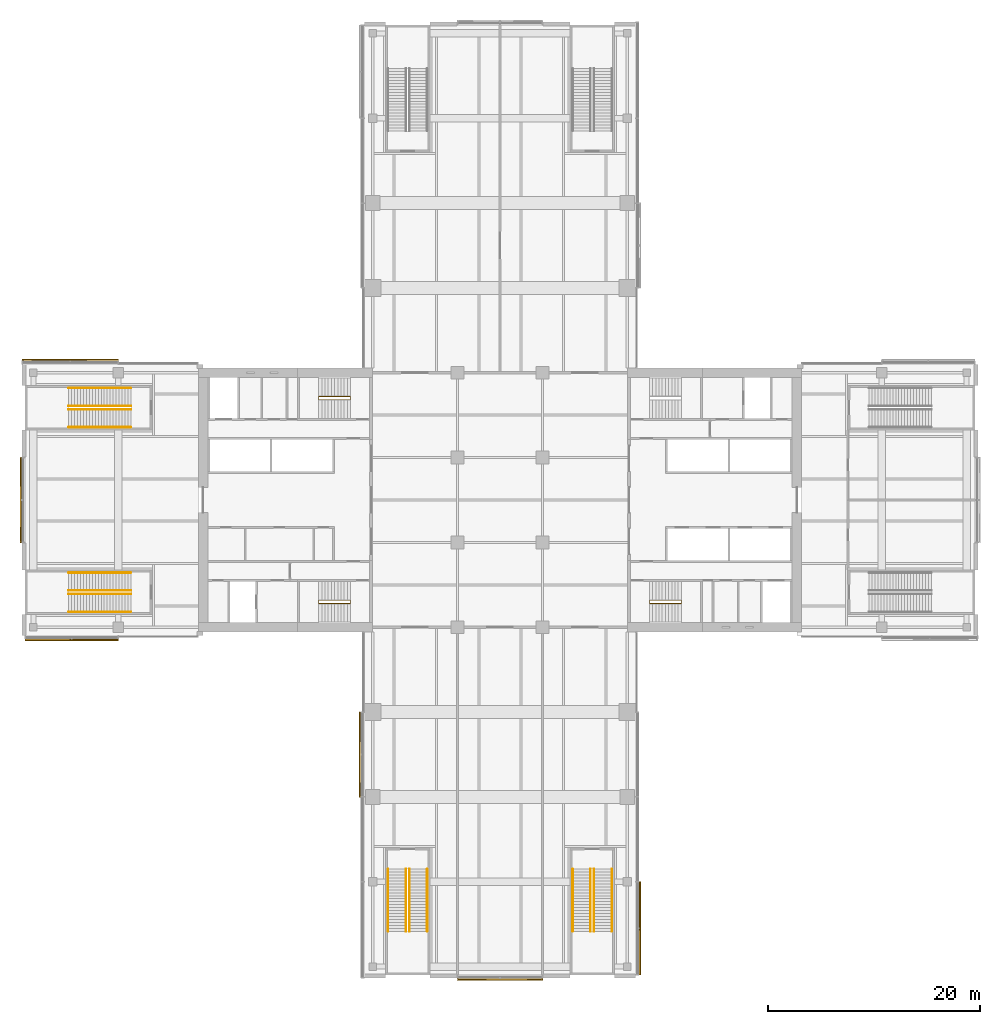
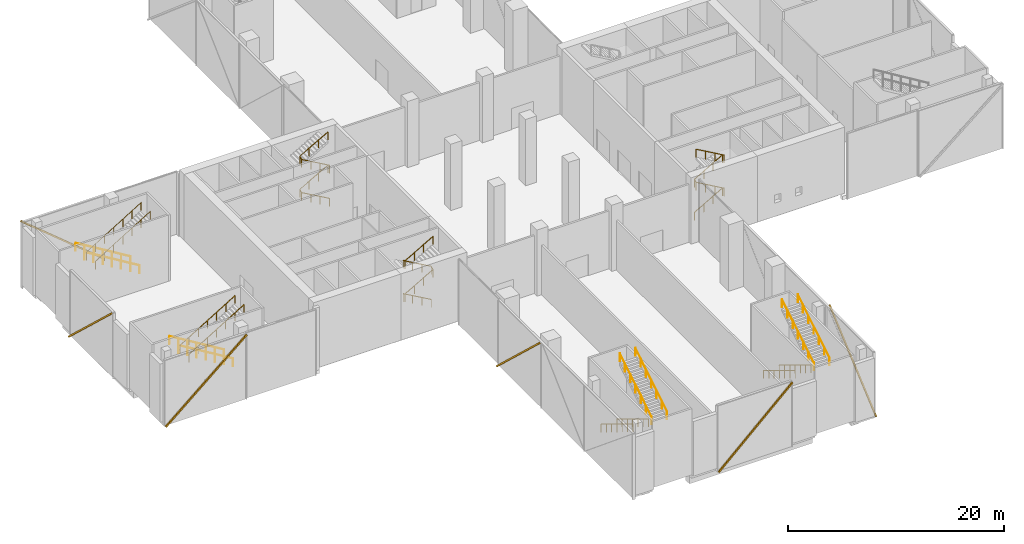
# One storey, part 24 of 25: 19 railings, 6 shading devices, 6 elements without a shape of their own.
"""IFC4 building model written with IfcOpenShell, lengths in metres."""

import ifcopenshell
import ifcopenshell.guid

model = None  # the IFC model being written
_history = None  # IfcOwnerHistory: only IFC2X3 demands one
_inside = {}  # id of a spatial element -> (the spatial element, [elements in it])
_under = {}  # id of a project, library or spatial element -> (it, [spatial elements below it])
_declared = {}  # id of a project -> (the project, [libraries it declares])
_typed = {}  # id of a type object -> (the type object, [elements of that type])
_made_of = {}  # id of a material, layer set ... -> (it, [elements and type objects made of it])


def new_model(schema):
    """Start an empty IFC model of exactly this schema.

    Asked for "IFC4X3", IfcOpenShell would pick the latest addendum, in which some entities
    have other attributes; the version numbers below select the first issue.
    IFC2X3 requires an IfcOwnerHistory on every rooted entity: one is made here for all.
    """
    global model, _history
    if schema == "IFC4X3":
        model = ifcopenshell.file(schema_version=(4, 3, 0, 0))
    else:
        model = ifcopenshell.file(schema=schema)
    _inside.clear()
    _under.clear()
    _declared.clear()
    _typed.clear()
    _made_of.clear()
    _history = None
    if model.schema == "IFC2X3":
        org = make("IfcOrganization", Name="unknown")
        user = make(
            "IfcPersonAndOrganization",
            ThePerson=make("IfcPerson", FamilyName="unknown"),
            TheOrganization=org,
        )
        app = make(
            "IfcApplication",
            ApplicationDeveloper=org,
            Version="unknown",
            ApplicationFullName="unknown",
            ApplicationIdentifier="unknown",
        )
        _history = make(
            "IfcOwnerHistory",
            OwningUser=user,
            OwningApplication=app,
            ChangeAction="ADDED",
            CreationDate=0,
        )
    return model


def make(cls, **values):
    """One entity of the class cls with the attributes given. An attribute that is None is left unset."""
    return model.create_entity(
        cls, **{name: value for name, value in values.items() if value is not None}
    )


def rooted(cls, **values):
    """An entity with a GlobalId (a new one), such as an element, a storey or a relation."""
    return make(cls, GlobalId=ifcopenshell.guid.new(), OwnerHistory=_history, **values)


def si_unit(unit_type, name, prefix=None):
    """IfcSIUnit, for example si_unit("LENGTHUNIT", "METRE", prefix="MILLI")."""
    return make("IfcSIUnit", UnitType=unit_type, Prefix=prefix, Name=name)


def assignment(units):
    """IfcUnitAssignment: the units of a project."""
    return None if units is None else make("IfcUnitAssignment", Units=units)


def point(xyz):
    """IfcCartesianPoint."""
    return None if xyz is None else make("IfcCartesianPoint", Coordinates=xyz)


def direction(xyz):
    """IfcDirection."""
    return None if xyz is None else make("IfcDirection", DirectionRatios=xyz)


def frame(location, z_axis=None, x_axis=None):
    """IfcAxis2Placement3D, a coordinate frame: its origin and axes. An axis left out is left unset."""
    return make(
        "IfcAxis2Placement3D",
        Location=point(location),
        Axis=direction(z_axis),
        RefDirection=direction(x_axis),
    )


def frame_2d(location, x_axis=None):
    """IfcAxis2Placement2D, a coordinate frame in the plane: its origin and x axis."""
    return make(
        "IfcAxis2Placement2D", Location=point(location), RefDirection=direction(x_axis)
    )


def origin():
    """The frame at (0, 0, 0) with its axes left unset."""
    return frame((0.0, 0.0, 0.0))


def origin_2d():
    """The frame at (0, 0) in the plane with its x axis left unset."""
    return frame_2d((0.0, 0.0))


def place(relative_to, where):
    """IfcLocalPlacement: puts the frame where relative to a parent placement (None: the world)."""
    return make(
        "IfcLocalPlacement", PlacementRelTo=relative_to, RelativePlacement=where
    )


def context(
    kind, dimensions, precision=None, world=None, true_north=None, identifier=None
):
    """IfcGeometricRepresentationContext, for example the 3D "Model" context."""
    return make(
        "IfcGeometricRepresentationContext",
        ContextIdentifier=identifier,
        ContextType=kind,
        CoordinateSpaceDimension=dimensions,
        Precision=precision,
        WorldCoordinateSystem=world,
        TrueNorth=true_north,
    )


def subcontext(parent, identifier, kind, view, scale=None):
    """IfcGeometricRepresentationSubContext, for example "Body" below "Model"."""
    return make(
        "IfcGeometricRepresentationSubContext",
        ContextIdentifier=identifier,
        ContextType=kind,
        ParentContext=parent,
        TargetScale=scale,
        TargetView=view,
    )


def project(units=None, contexts=None):
    """IfcProject with its units and contexts."""
    return rooted(
        "IfcProject",
        Name="project",
        RepresentationContexts=contexts,
        UnitsInContext=assignment(units),
    )


def spatial(cls, under=None, at=None, **own):
    """A site, building, storey or space (cls), placed at a placement, below another one or the project."""
    s = rooted(cls, ObjectPlacement=at, **own)
    if under is not None:
        _under.setdefault(under.id(), (under, []))[1].append(s)
    return s


def profile(cls, at=None, kind="AREA", **sizes):
    """A parametric profile (cls). Its sizes go by their IFC names, for example OverallWidth=200.0."""
    return make(cls, ProfileType=kind, Position=at, **sizes)


def rectangle(**sizes):
    """IfcRectangleProfileDef."""
    return profile("IfcRectangleProfileDef", **sizes)


def circle(**sizes):
    """IfcCircleProfileDef."""
    return profile("IfcCircleProfileDef", **sizes)


def extrude(swept, where, along, depth):
    """IfcExtrudedAreaSolid: the profile swept, set in the frame where, extruded along a direction by depth."""
    return make(
        "IfcExtrudedAreaSolid",
        SweptArea=swept,
        Position=where,
        ExtrudedDirection=direction(along),
        Depth=depth,
    )


def shape(context_of_items, identifier, shape_type, items):
    """IfcShapeRepresentation: the items that make up one representation, for example the "Body"."""
    return make(
        "IfcShapeRepresentation",
        ContextOfItems=context_of_items,
        RepresentationIdentifier=identifier,
        RepresentationType=shape_type,
        Items=items,
    )


def material(Name=None, Category=None):
    """IfcMaterial."""
    return make("IfcMaterial", Name=Name, Category=Category)


def material_profile(
    of_material, cross_section, Name=None, Category=None, Priority=None
):
    """IfcMaterialProfile: a cross section and its material."""
    return make(
        "IfcMaterialProfile",
        Name=Name,
        Material=of_material,
        Profile=cross_section,
        Priority=Priority,
        Category=Category,
    )


def profile_set(profiles, Name=None, composite=None):
    """IfcMaterialProfileSet."""
    return make(
        "IfcMaterialProfileSet",
        Name=Name,
        MaterialProfiles=profiles,
        CompositeProfile=composite,
    )


def made_of(thing, what):
    """Note that an element or type object is made of a material, layer set ...; save() writes the relation."""
    if what is not None:
        _made_of.setdefault(what.id(), (what, []))[1].append(thing)
    return thing


def type_object(cls, material=None, **own):
    """A type object (cls), such as IfcWallType, which elements share."""
    return made_of(rooted(cls, **own), material)


def element(
    cls,
    number,
    at=None,
    inside=None,
    cuts=None,
    type_object=None,
    material=None,
    context=None,
    identifier="Body",
    shape_type=None,
    held_by="IfcProductDefinitionShape",
    body=None,
    shapes=None,
    **own,
):
    """One element of the class cls, such as IfcWall. Its Tag is "e" and its number.

    at: its placement. inside: the storey or other place that contains it. cuts: it is an
    opening in that element (IfcRelVoidsElement). A single representation is given by context,
    identifier, shape_type and body (its items); several are given by shapes. held_by: the class
    of the entity that holds the representations. save() writes the other relations.
    """
    e = rooted(cls, Tag="e%d" % number, ObjectPlacement=at, **own)
    if body is not None:
        shapes = [shape(context, identifier, shape_type, body)]
    if shapes is not None:
        e.Representation = make(held_by, Representations=shapes)
    if inside is not None:
        _inside.setdefault(inside.id(), (inside, []))[1].append(e)
    if cuts is not None:
        rooted(
            "IfcRelVoidsElement", RelatingBuildingElement=cuts, RelatedOpeningElement=e
        )
    if type_object is not None:
        _typed.setdefault(type_object.id(), (type_object, []))[1].append(e)
    return made_of(e, material)


def aggregate(whole, parts):
    """IfcRelAggregates: a whole, such as a stair, and the parts it consists of."""
    return rooted("IfcRelAggregates", RelatingObject=whole, RelatedObjects=parts)


def save(model, path):
    """Write the relations noted so far, then the file.

    IfcRelAggregates (storeys below a building ...), IfcRelContainedInSpatialStructure (elements
    in a storey), IfcRelDefinesByType, IfcRelAssociatesMaterial and IfcRelDeclares: one each for
    every whole, place, type object, material and project.
    """
    for whole, parts in _under.values():
        aggregate(whole, parts)
    for where, things in _inside.values():
        rooted(
            "IfcRelContainedInSpatialStructure",
            RelatedElements=things,
            RelatingStructure=where,
        )
    for kind, things in _typed.values():
        rooted("IfcRelDefinesByType", RelatedObjects=things, RelatingType=kind)
    for what, things in _made_of.values():
        rooted("IfcRelAssociatesMaterial", RelatedObjects=things, RelatingMaterial=what)
    for by, libraries in _declared.values():
        rooted("IfcRelDeclares", RelatingContext=by, RelatedDefinitions=libraries)
    model.write(path)


model = new_model("IFC4")

# Units and contexts
model_context = context("Model", 3, precision=1e-05, world=origin(), true_north=direction((0.0, 1.0)))
body_context = subcontext(model_context, "Body", "Model", "MODEL_VIEW")
ifc_project = project(units=[si_unit("LENGTHUNIT", "METRE"), si_unit("AREAUNIT", "SQUARE_METRE"), si_unit("VOLUMEUNIT", "CUBIC_METRE"), si_unit("PLANEANGLEUNIT", "RADIAN"), si_unit("MASSUNIT", "GRAM", prefix="KILO")], contexts=[model_context])

# Site, building, storey
site_placement = place(None, origin())
site = spatial("IfcSite", under=ifc_project, at=site_placement, CompositionType="ELEMENT")
building_placement = place(site_placement, origin())
building = spatial("IfcBuilding", under=site, at=building_placement, Name="Crosswind Convention Tower", CompositionType="ELEMENT")
storey_placement = place(building_placement, frame((0.0, 0.0, 17.5)))
storey = spatial("IfcBuildingStorey", under=building, at=storey_placement, Name="L02", CompositionType="ELEMENT", Elevation=17.5)

# Railings
ifc_material_1 = material(Name="Stainless steel", Category="steel")
railing_type_1 = type_object("IfcRailingType", Name="STAIR HANDRAIL 900", PredefinedType="HANDRAIL", material=ifc_material_1)
for number, where, name in (
    (1, (114.4599609375, 65.199951171875, 0.17041015625), "Handrail S1 L02 1"),
    (2, (116.139892578125, 65.199951171875, 0.17041015625), "Handrail S1 L02 2"),
):
    element("IfcRailing", number, at=place(storey_placement, frame(where)), inside=storey, type_object=railing_type_1, Name=name, PredefinedType="HANDRAIL", context=body_context, shape_type="SweptSolid", body=[
        extrude(circle(Radius=0.02392578125, at=origin_2d()), frame((0.0, 0.0, 0.8759765625), z_axis=(0.0, -0.854164310681, 0.520003202259), x_axis=(1.0, 0.0, 0.0)), (0.0, 0.0, 1.0), 6.8837890625),
        extrude(circle(Radius=0.02099609375, at=origin_2d()), origin(), (0.0, 0.0, 1.0), 0.851806640625),
        extrude(circle(Radius=0.02099609375, at=origin_2d()), frame((0.0, -0.97998046875, 0.5966796875)), (0.0, 0.0, 1.0), 0.851806640625),
        extrude(circle(Radius=0.02099609375, at=origin_2d()), frame((0.0, -1.9599609375, 1.193115234375)), (0.0, 0.0, 1.0), 0.851806640625),
        extrude(circle(Radius=0.02099609375, at=origin_2d()), frame((0.0, -2.93994140625, 1.789794921875)), (0.0, 0.0, 1.0), 0.851806640625),
        extrude(circle(Radius=0.02099609375, at=origin_2d()), frame((0.0, -3.919921875, 2.386474609375)), (0.0, 0.0, 1.0), 0.851806640625),
        extrude(circle(Radius=0.02099609375, at=origin_2d()), frame((0.0, -4.89990234375, 2.98291015625)), (0.0, 0.0, 1.0), 0.851806640625),
        extrude(circle(Radius=0.02099609375, at=origin_2d()), frame((0.0, -5.8798828125, 3.57958984375)), (0.0, 0.0, 1.0), 0.851806640625),
    ])
for number, where, name in (
    (3, (116.4599609375, 59.320068359375, 3.92041015625), "Handrail S1 L02 3"),
    (4, (118.139892578125, 59.320068359375, 3.92041015625), "Handrail S1 L02 4"),
):
    element("IfcRailing", number, at=place(storey_placement, frame(where)), inside=storey, type_object=railing_type_1, Name=name, PredefinedType="HANDRAIL", context=body_context, shape_type="SweptSolid", body=[
        extrude(circle(Radius=0.02392578125, at=origin_2d()), frame((0.0, 0.0, 0.8759765625), z_axis=(0.0, 0.854164310681, 0.520003202259), x_axis=(-1.0, 0.0, 0.0)), (0.0, 0.0, 1.0), 6.8837890625),
        extrude(circle(Radius=0.02099609375, at=origin_2d()), origin(), (0.0, 0.0, 1.0), 0.851806640625),
        extrude(circle(Radius=0.02099609375, at=origin_2d()), frame((0.0, 0.97998046875, 0.5966796875)), (0.0, 0.0, 1.0), 0.851806640625),
        extrude(circle(Radius=0.02099609375, at=origin_2d()), frame((0.0, 1.9599609375, 1.193115234375)), (0.0, 0.0, 1.0), 0.851806640625),
        extrude(circle(Radius=0.02099609375, at=origin_2d()), frame((0.0, 2.93994140625, 1.789794921875)), (0.0, 0.0, 1.0), 0.851806640625),
        extrude(circle(Radius=0.02099609375, at=origin_2d()), frame((0.0, 3.919921875, 2.386474609375)), (0.0, 0.0, 1.0), 0.851806640625),
        extrude(circle(Radius=0.02099609375, at=origin_2d()), frame((0.0, 4.89990234375, 2.98291015625)), (0.0, 0.0, 1.0), 0.851806640625),
        extrude(circle(Radius=0.02099609375, at=origin_2d()), frame((0.0, 5.8798828125, 3.57958984375)), (0.0, 0.0, 1.0), 0.851806640625),
    ])
for number, where, name in (
    (5, (131.860107421875, 65.199951171875, 0.17041015625), "Handrail S2 L02 1"),
    (6, (133.5400390625, 65.199951171875, 0.17041015625), "Handrail S2 L02 2"),
):
    element("IfcRailing", number, at=place(storey_placement, frame(where)), inside=storey, type_object=railing_type_1, Name=name, PredefinedType="HANDRAIL", context=body_context, shape_type="SweptSolid", body=[
        extrude(circle(Radius=0.02392578125, at=origin_2d()), frame((0.0, 0.0, 0.8759765625), z_axis=(0.0, -0.854164310681, 0.520003202259), x_axis=(1.0, 0.0, 0.0)), (0.0, 0.0, 1.0), 6.8837890625),
        extrude(circle(Radius=0.02099609375, at=origin_2d()), origin(), (0.0, 0.0, 1.0), 0.851806640625),
        extrude(circle(Radius=0.02099609375, at=origin_2d()), frame((0.0, -0.97998046875, 0.5966796875)), (0.0, 0.0, 1.0), 0.851806640625),
        extrude(circle(Radius=0.02099609375, at=origin_2d()), frame((0.0, -1.9599609375, 1.193115234375)), (0.0, 0.0, 1.0), 0.851806640625),
        extrude(circle(Radius=0.02099609375, at=origin_2d()), frame((0.0, -2.93994140625, 1.789794921875)), (0.0, 0.0, 1.0), 0.851806640625),
        extrude(circle(Radius=0.02099609375, at=origin_2d()), frame((0.0, -3.919921875, 2.386474609375)), (0.0, 0.0, 1.0), 0.851806640625),
        extrude(circle(Radius=0.02099609375, at=origin_2d()), frame((0.0, -4.89990234375, 2.98291015625)), (0.0, 0.0, 1.0), 0.851806640625),
        extrude(circle(Radius=0.02099609375, at=origin_2d()), frame((0.0, -5.8798828125, 3.57958984375)), (0.0, 0.0, 1.0), 0.851806640625),
    ])
for number, where, name in (
    (7, (133.860107421875, 59.320068359375, 3.92041015625), "Handrail S2 L02 3"),
    (8, (135.5400390625, 59.320068359375, 3.92041015625), "Handrail S2 L02 4"),
):
    element("IfcRailing", number, at=place(storey_placement, frame(where)), inside=storey, type_object=railing_type_1, Name=name, PredefinedType="HANDRAIL", context=body_context, shape_type="SweptSolid", body=[
        extrude(circle(Radius=0.02392578125, at=origin_2d()), frame((0.0, 0.0, 0.8759765625), z_axis=(0.0, 0.854164310681, 0.520003202259), x_axis=(-1.0, 0.0, 0.0)), (0.0, 0.0, 1.0), 6.8837890625),
        extrude(circle(Radius=0.02099609375, at=origin_2d()), origin(), (0.0, 0.0, 1.0), 0.851806640625),
        extrude(circle(Radius=0.02099609375, at=origin_2d()), frame((0.0, 0.97998046875, 0.5966796875)), (0.0, 0.0, 1.0), 0.851806640625),
        extrude(circle(Radius=0.02099609375, at=origin_2d()), frame((0.0, 1.9599609375, 1.193115234375)), (0.0, 0.0, 1.0), 0.851806640625),
        extrude(circle(Radius=0.02099609375, at=origin_2d()), frame((0.0, 2.93994140625, 1.789794921875)), (0.0, 0.0, 1.0), 0.851806640625),
        extrude(circle(Radius=0.02099609375, at=origin_2d()), frame((0.0, 3.919921875, 2.386474609375)), (0.0, 0.0, 1.0), 0.851806640625),
        extrude(circle(Radius=0.02099609375, at=origin_2d()), frame((0.0, 4.89990234375, 2.98291015625)), (0.0, 0.0, 1.0), 0.851806640625),
        extrude(circle(Radius=0.02099609375, at=origin_2d()), frame((0.0, 5.8798828125, 3.57958984375)), (0.0, 0.0, 1.0), 0.851806640625),
    ])
for number, where, name in (
    (9, (90.199951171875, 93.139892578125, 0.17041015625), "Handrail W1 L02 1"),
    (10, (90.199951171875, 91.4599609375, 0.17041015625), "Handrail W1 L02 2"),
):
    element("IfcRailing", number, at=place(storey_placement, frame(where)), inside=storey, type_object=railing_type_1, Name=name, PredefinedType="HANDRAIL", context=body_context, shape_type="SweptSolid", body=[
        extrude(circle(Radius=0.02392578125, at=origin_2d()), frame((0.0, 0.0, 0.8759765625), z_axis=(-0.854164310681, 0.0, 0.520003202259), x_axis=(0.0, -1.0, 0.0)), (0.0, 0.0, 1.0), 6.8837890625),
        extrude(circle(Radius=0.02099609375, at=origin_2d()), origin(), (0.0, 0.0, 1.0), 0.851806640625),
        extrude(circle(Radius=0.02099609375, at=origin_2d()), frame((-0.97998046875, 0.0, 0.5966796875)), (0.0, 0.0, 1.0), 0.851806640625),
        extrude(circle(Radius=0.02099609375, at=origin_2d()), frame((-1.9599609375, 0.0, 1.193115234375)), (0.0, 0.0, 1.0), 0.851806640625),
        extrude(circle(Radius=0.02099609375, at=origin_2d()), frame((-2.93994140625, 0.0, 1.789794921875)), (0.0, 0.0, 1.0), 0.851806640625),
        extrude(circle(Radius=0.02099609375, at=origin_2d()), frame((-3.919921875, 0.0, 2.386474609375)), (0.0, 0.0, 1.0), 0.851806640625),
        extrude(circle(Radius=0.02099609375, at=origin_2d()), frame((-4.89990234375, 0.0, 2.98291015625)), (0.0, 0.0, 1.0), 0.851806640625),
        extrude(circle(Radius=0.02099609375, at=origin_2d()), frame((-5.8798828125, 0.0, 3.57958984375)), (0.0, 0.0, 1.0), 0.851806640625),
    ])
for number, where, name in (
    (11, (84.320068359375, 91.139892578125, 3.92041015625), "Handrail W1 L02 3"),
    (12, (84.320068359375, 89.4599609375, 3.92041015625), "Handrail W1 L02 4"),
):
    element("IfcRailing", number, at=place(storey_placement, frame(where)), inside=storey, type_object=railing_type_1, Name=name, PredefinedType="HANDRAIL", context=body_context, shape_type="SweptSolid", body=[
        extrude(circle(Radius=0.02392578125, at=origin_2d()), frame((0.0, 0.0, 0.8759765625), z_axis=(0.854164310681, 0.0, 0.520003202259), x_axis=(0.0, 1.0, 0.0)), (0.0, 0.0, 1.0), 6.8837890625),
        extrude(circle(Radius=0.02099609375, at=origin_2d()), origin(), (0.0, 0.0, 1.0), 0.851806640625),
        extrude(circle(Radius=0.02099609375, at=origin_2d()), frame((0.97998046875, 0.0, 0.5966796875)), (0.0, 0.0, 1.0), 0.851806640625),
        extrude(circle(Radius=0.02099609375, at=origin_2d()), frame((1.9599609375, 0.0, 1.193115234375)), (0.0, 0.0, 1.0), 0.851806640625),
        extrude(circle(Radius=0.02099609375, at=origin_2d()), frame((2.93994140625, 0.0, 1.789794921875)), (0.0, 0.0, 1.0), 0.851806640625),
        extrude(circle(Radius=0.02099609375, at=origin_2d()), frame((3.919921875, 0.0, 2.386474609375)), (0.0, 0.0, 1.0), 0.851806640625),
        extrude(circle(Radius=0.02099609375, at=origin_2d()), frame((4.89990234375, 0.0, 2.98291015625)), (0.0, 0.0, 1.0), 0.851806640625),
        extrude(circle(Radius=0.02099609375, at=origin_2d()), frame((5.8798828125, 0.0, 3.57958984375)), (0.0, 0.0, 1.0), 0.851806640625),
    ])
for number, where, name in (
    (13, (90.199951171875, 110.5400390625, 0.17041015625), "Handrail W2 L02 1"),
    (14, (90.199951171875, 108.860107421875, 0.17041015625), "Handrail W2 L02 2"),
):
    element("IfcRailing", number, at=place(storey_placement, frame(where)), inside=storey, type_object=railing_type_1, Name=name, PredefinedType="HANDRAIL", context=body_context, shape_type="SweptSolid", body=[
        extrude(circle(Radius=0.02392578125, at=origin_2d()), frame((0.0, 0.0, 0.8759765625), z_axis=(-0.854164310681, 0.0, 0.520003202259), x_axis=(0.0, -1.0, 0.0)), (0.0, 0.0, 1.0), 6.8837890625),
        extrude(circle(Radius=0.02099609375, at=origin_2d()), origin(), (0.0, 0.0, 1.0), 0.851806640625),
        extrude(circle(Radius=0.02099609375, at=origin_2d()), frame((-0.97998046875, 0.0, 0.5966796875)), (0.0, 0.0, 1.0), 0.851806640625),
        extrude(circle(Radius=0.02099609375, at=origin_2d()), frame((-1.9599609375, 0.0, 1.193115234375)), (0.0, 0.0, 1.0), 0.851806640625),
        extrude(circle(Radius=0.02099609375, at=origin_2d()), frame((-2.93994140625, 0.0, 1.789794921875)), (0.0, 0.0, 1.0), 0.851806640625),
        extrude(circle(Radius=0.02099609375, at=origin_2d()), frame((-3.919921875, 0.0, 2.386474609375)), (0.0, 0.0, 1.0), 0.851806640625),
        extrude(circle(Radius=0.02099609375, at=origin_2d()), frame((-4.89990234375, 0.0, 2.98291015625)), (0.0, 0.0, 1.0), 0.851806640625),
        extrude(circle(Radius=0.02099609375, at=origin_2d()), frame((-5.8798828125, 0.0, 3.57958984375)), (0.0, 0.0, 1.0), 0.851806640625),
    ])
for number, where, name in (
    (15, (84.320068359375, 108.5400390625, 3.92041015625), "Handrail W2 L02 3"),
    (16, (84.320068359375, 106.860107421875, 3.92041015625), "Handrail W2 L02 4"),
):
    element("IfcRailing", number, at=place(storey_placement, frame(where)), inside=storey, type_object=railing_type_1, Name=name, PredefinedType="HANDRAIL", context=body_context, shape_type="SweptSolid", body=[
        extrude(circle(Radius=0.02392578125, at=origin_2d()), frame((0.0, 0.0, 0.8759765625), z_axis=(0.854164310681, 0.0, 0.520003202259), x_axis=(0.0, 1.0, 0.0)), (0.0, 0.0, 1.0), 6.8837890625),
        extrude(circle(Radius=0.02099609375, at=origin_2d()), origin(), (0.0, 0.0, 1.0), 0.851806640625),
        extrude(circle(Radius=0.02099609375, at=origin_2d()), frame((0.97998046875, 0.0, 0.5966796875)), (0.0, 0.0, 1.0), 0.851806640625),
        extrude(circle(Radius=0.02099609375, at=origin_2d()), frame((1.9599609375, 0.0, 1.193115234375)), (0.0, 0.0, 1.0), 0.851806640625),
        extrude(circle(Radius=0.02099609375, at=origin_2d()), frame((2.93994140625, 0.0, 1.789794921875)), (0.0, 0.0, 1.0), 0.851806640625),
        extrude(circle(Radius=0.02099609375, at=origin_2d()), frame((3.919921875, 0.0, 2.386474609375)), (0.0, 0.0, 1.0), 0.851806640625),
        extrude(circle(Radius=0.02099609375, at=origin_2d()), frame((4.89990234375, 0.0, 2.98291015625)), (0.0, 0.0, 1.0), 0.851806640625),
        extrude(circle(Radius=0.02099609375, at=origin_2d()), frame((5.8798828125, 0.0, 3.57958984375)), (0.0, 0.0, 1.0), 0.851806640625),
    ])
railing_type_2 = type_object("IfcRailingType", Name="Stair handrail 900", PredefinedType="HANDRAIL", material=ifc_material_1)
railing_1_placement = place(storey_placement, frame((139.10009765625, 90.56005859375, 0.17041015625)))
element("IfcRailing", 17, at=railing_1_placement, inside=storey, type_object=railing_type_2, Name="Stair ST2 handrail L02", PredefinedType="HANDRAIL", context=body_context, shape_type="SweptSolid", body=[
    extrude(circle(Radius=0.02392578125, at=origin_2d()), frame((0.0, 0.0, 0.8759765625), z_axis=(0.869451031676, 0.0, 0.494019132744), x_axis=(0.0, 1.0, 0.0)), (0.0, 0.0, 1.0), 3.450439453125),
    extrude(circle(Radius=0.02392578125, at=origin_2d()), frame((3.0, 0.0, 2.58056640625), z_axis=(0.0, -0.882688199001, 0.469959086883), x_axis=(1.0, 0.0, 0.0)), (0.0, 0.0, 1.0), 0.362548828125),
    extrude(circle(Radius=0.02392578125, at=origin_2d()), frame((3.0, -0.320068359375, 2.7509765625), z_axis=(-0.869451031676, 0.0, 0.494019132744), x_axis=(0.0, -1.0, 0.0)), (0.0, 0.0, 1.0), 3.450439453125),
    extrude(circle(Radius=0.02392578125, at=origin_2d()), frame((0.0, -0.320068359375, 4.45556640625), z_axis=(0.0, 0.882688199001, 0.469959086883), x_axis=(-1.0, 0.0, 0.0)), (0.0, 0.0, 1.0), 0.362548828125),
    extrude(circle(Radius=0.02392578125, at=origin_2d()), frame((0.0, 0.0, 4.6259765625), z_axis=(0.869451031676, 0.0, 0.494019132744), x_axis=(0.0, 1.0, 0.0)), (0.0, 0.0, 1.0), 3.450439453125),
    extrude(circle(Radius=0.02392578125, at=origin_2d()), frame((3.0, 0.0, 6.33056640625), z_axis=(0.0, -0.882688199001, 0.469959086883), x_axis=(1.0, 0.0, 0.0)), (0.0, 0.0, 1.0), 0.362548828125),
    extrude(circle(Radius=0.02392578125, at=origin_2d()), frame((3.0, -0.320068359375, 6.5009765625), z_axis=(-0.869451031676, 0.0, 0.494019132744), x_axis=(0.0, -1.0, 0.0)), (0.0, 0.0, 1.0), 3.450439453125),
    extrude(circle(Radius=0.02099609375, at=origin_2d()), origin(), (0.0, 0.0, 1.0), 0.851806640625),
    extrude(circle(Radius=0.02099609375, at=origin_2d()), frame((1.0, 0.0, 0.568115234375)), (0.0, 0.0, 1.0), 0.851806640625),
    extrude(circle(Radius=0.02099609375, at=origin_2d()), frame((2.0, 0.0, 1.136474609375)), (0.0, 0.0, 1.0), 0.851806640625),
    extrude(circle(Radius=0.02099609375, at=origin_2d()), frame((3.0, 0.0, 1.70458984375)), (0.0, 0.0, 1.0), 0.851806640625),
    extrude(circle(Radius=0.02099609375, at=origin_2d()), frame((3.0, -0.320068359375, 1.875)), (0.0, 0.0, 1.0), 0.851806640625),
    extrude(circle(Radius=0.02099609375, at=origin_2d()), frame((2.0, -0.320068359375, 2.443115234375)), (0.0, 0.0, 1.0), 0.851806640625),
    extrude(circle(Radius=0.02099609375, at=origin_2d()), frame((1.0, -0.320068359375, 3.011474609375)), (0.0, 0.0, 1.0), 0.851806640625),
    extrude(circle(Radius=0.02099609375, at=origin_2d()), frame((0.0, -0.320068359375, 3.57958984375)), (0.0, 0.0, 1.0), 0.851806640625),
    extrude(circle(Radius=0.02099609375, at=origin_2d()), frame((0.0, 0.0, 3.75)), (0.0, 0.0, 1.0), 0.851806640625),
    extrude(circle(Radius=0.02099609375, at=origin_2d()), frame((1.0, 0.0, 4.318115234375)), (0.0, 0.0, 1.0), 0.851806640625),
    extrude(circle(Radius=0.02099609375, at=origin_2d()), frame((2.0, 0.0, 4.886474609375)), (0.0, 0.0, 1.0), 0.851806640625),
    extrude(circle(Radius=0.02099609375, at=origin_2d()), frame((3.0, 0.0, 5.45458984375)), (0.0, 0.0, 1.0), 0.851806640625),
    extrude(circle(Radius=0.02099609375, at=origin_2d()), frame((3.0, -0.320068359375, 5.625)), (0.0, 0.0, 1.0), 0.851806640625),
    extrude(circle(Radius=0.02099609375, at=origin_2d()), frame((2.0, -0.320068359375, 6.193115234375)), (0.0, 0.0, 1.0), 0.851806640625),
    extrude(circle(Radius=0.02099609375, at=origin_2d()), frame((1.0, -0.320068359375, 6.761474609375)), (0.0, 0.0, 1.0), 0.851806640625),
    extrude(circle(Radius=0.02099609375, at=origin_2d()), frame((0.0, -0.320068359375, 7.32958984375)), (0.0, 0.0, 1.0), 0.851806640625),
])
railing_2_placement = place(storey_placement, frame((110.89990234375, 90.56005859375, 0.17041015625)))
element("IfcRailing", 18, at=railing_2_placement, inside=storey, type_object=railing_type_2, Name="Stair ST3 handrail L02", PredefinedType="HANDRAIL", context=body_context, shape_type="SweptSolid", body=[
    extrude(circle(Radius=0.02392578125, at=origin_2d()), frame((0.0, 0.0, 0.8759765625), z_axis=(-0.869451031676, 0.0, 0.494019132744), x_axis=(0.0, -1.0, 0.0)), (0.0, 0.0, 1.0), 3.450439453125),
    extrude(circle(Radius=0.02392578125, at=origin_2d()), frame((-3.0, 0.0, 2.58056640625), z_axis=(0.0, -0.882688199001, 0.469959086883), x_axis=(1.0, 0.0, 0.0)), (0.0, 0.0, 1.0), 0.362548828125),
    extrude(circle(Radius=0.02392578125, at=origin_2d()), frame((-3.0, -0.320068359375, 2.7509765625), z_axis=(0.869451031676, 0.0, 0.494019132744), x_axis=(0.0, 1.0, 0.0)), (0.0, 0.0, 1.0), 3.450439453125),
    extrude(circle(Radius=0.02392578125, at=origin_2d()), frame((0.0, -0.320068359375, 4.45556640625), z_axis=(0.0, 0.882688199001, 0.469959086883), x_axis=(-1.0, 0.0, 0.0)), (0.0, 0.0, 1.0), 0.362548828125),
    extrude(circle(Radius=0.02392578125, at=origin_2d()), frame((0.0, 0.0, 4.6259765625), z_axis=(-0.869451031676, 0.0, 0.494019132744), x_axis=(0.0, -1.0, 0.0)), (0.0, 0.0, 1.0), 3.450439453125),
    extrude(circle(Radius=0.02392578125, at=origin_2d()), frame((-3.0, 0.0, 6.33056640625), z_axis=(0.0, -0.882688199001, 0.469959086883), x_axis=(1.0, 0.0, 0.0)), (0.0, 0.0, 1.0), 0.362548828125),
    extrude(circle(Radius=0.02392578125, at=origin_2d()), frame((-3.0, -0.320068359375, 6.5009765625), z_axis=(0.869451031676, 0.0, 0.494019132744), x_axis=(0.0, 1.0, 0.0)), (0.0, 0.0, 1.0), 3.450439453125),
    extrude(circle(Radius=0.02099609375, at=origin_2d()), origin(), (0.0, 0.0, 1.0), 0.851806640625),
    extrude(circle(Radius=0.02099609375, at=origin_2d()), frame((-1.0, 0.0, 0.568115234375)), (0.0, 0.0, 1.0), 0.851806640625),
    extrude(circle(Radius=0.02099609375, at=origin_2d()), frame((-2.0, 0.0, 1.136474609375)), (0.0, 0.0, 1.0), 0.851806640625),
    extrude(circle(Radius=0.02099609375, at=origin_2d()), frame((-3.0, 0.0, 1.70458984375)), (0.0, 0.0, 1.0), 0.851806640625),
    extrude(circle(Radius=0.02099609375, at=origin_2d()), frame((-3.0, -0.320068359375, 1.875)), (0.0, 0.0, 1.0), 0.851806640625),
    extrude(circle(Radius=0.02099609375, at=origin_2d()), frame((-2.0, -0.320068359375, 2.443115234375)), (0.0, 0.0, 1.0), 0.851806640625),
    extrude(circle(Radius=0.02099609375, at=origin_2d()), frame((-1.0, -0.320068359375, 3.011474609375)), (0.0, 0.0, 1.0), 0.851806640625),
    extrude(circle(Radius=0.02099609375, at=origin_2d()), frame((0.0, -0.320068359375, 3.57958984375)), (0.0, 0.0, 1.0), 0.851806640625),
    extrude(circle(Radius=0.02099609375, at=origin_2d()), frame((0.0, 0.0, 3.75)), (0.0, 0.0, 1.0), 0.851806640625),
    extrude(circle(Radius=0.02099609375, at=origin_2d()), frame((-1.0, 0.0, 4.318115234375)), (0.0, 0.0, 1.0), 0.851806640625),
    extrude(circle(Radius=0.02099609375, at=origin_2d()), frame((-2.0, 0.0, 4.886474609375)), (0.0, 0.0, 1.0), 0.851806640625),
    extrude(circle(Radius=0.02099609375, at=origin_2d()), frame((-3.0, 0.0, 5.45458984375)), (0.0, 0.0, 1.0), 0.851806640625),
    extrude(circle(Radius=0.02099609375, at=origin_2d()), frame((-3.0, -0.320068359375, 5.625)), (0.0, 0.0, 1.0), 0.851806640625),
    extrude(circle(Radius=0.02099609375, at=origin_2d()), frame((-2.0, -0.320068359375, 6.193115234375)), (0.0, 0.0, 1.0), 0.851806640625),
    extrude(circle(Radius=0.02099609375, at=origin_2d()), frame((-1.0, -0.320068359375, 6.761474609375)), (0.0, 0.0, 1.0), 0.851806640625),
    extrude(circle(Radius=0.02099609375, at=origin_2d()), frame((0.0, -0.320068359375, 7.32958984375)), (0.0, 0.0, 1.0), 0.851806640625),
])
railing_3_placement = place(storey_placement, frame((110.89990234375, 109.43994140625, 0.17041015625)))
element("IfcRailing", 19, at=railing_3_placement, inside=storey, type_object=railing_type_2, Name="Stair ST4 handrail L02", PredefinedType="HANDRAIL", context=body_context, shape_type="SweptSolid", body=[
    extrude(circle(Radius=0.02392578125, at=origin_2d()), frame((0.0, 0.0, 0.8759765625), z_axis=(-0.869451031676, 0.0, 0.494019132744), x_axis=(0.0, -1.0, 0.0)), (0.0, 0.0, 1.0), 3.450439453125),
    extrude(circle(Radius=0.02392578125, at=origin_2d()), frame((-3.0, 0.0, 2.58056640625), z_axis=(0.0, 0.882688199001, 0.469959086883), x_axis=(-1.0, 0.0, 0.0)), (0.0, 0.0, 1.0), 0.362548828125),
    extrude(circle(Radius=0.02392578125, at=origin_2d()), frame((-3.0, 0.320068359375, 2.7509765625), z_axis=(0.869451031676, 0.0, 0.494019132744), x_axis=(0.0, 1.0, 0.0)), (0.0, 0.0, 1.0), 3.450439453125),
    extrude(circle(Radius=0.02392578125, at=origin_2d()), frame((0.0, 0.320068359375, 4.45556640625), z_axis=(0.0, -0.882688199001, 0.469959086883), x_axis=(1.0, 0.0, 0.0)), (0.0, 0.0, 1.0), 0.362548828125),
    extrude(circle(Radius=0.02392578125, at=origin_2d()), frame((0.0, 0.0, 4.6259765625), z_axis=(-0.869451031676, 0.0, 0.494019132744), x_axis=(0.0, -1.0, 0.0)), (0.0, 0.0, 1.0), 3.450439453125),
    extrude(circle(Radius=0.02392578125, at=origin_2d()), frame((-3.0, 0.0, 6.33056640625), z_axis=(0.0, 0.882688199001, 0.469959086883), x_axis=(-1.0, 0.0, 0.0)), (0.0, 0.0, 1.0), 0.362548828125),
    extrude(circle(Radius=0.02392578125, at=origin_2d()), frame((-3.0, 0.320068359375, 6.5009765625), z_axis=(0.869451031676, 0.0, 0.494019132744), x_axis=(0.0, 1.0, 0.0)), (0.0, 0.0, 1.0), 3.450439453125),
    extrude(circle(Radius=0.02099609375, at=origin_2d()), origin(), (0.0, 0.0, 1.0), 0.851806640625),
    extrude(circle(Radius=0.02099609375, at=origin_2d()), frame((-1.0, 0.0, 0.568115234375)), (0.0, 0.0, 1.0), 0.851806640625),
    extrude(circle(Radius=0.02099609375, at=origin_2d()), frame((-2.0, 0.0, 1.136474609375)), (0.0, 0.0, 1.0), 0.851806640625),
    extrude(circle(Radius=0.02099609375, at=origin_2d()), frame((-3.0, 0.0, 1.70458984375)), (0.0, 0.0, 1.0), 0.851806640625),
    extrude(circle(Radius=0.02099609375, at=origin_2d()), frame((-3.0, 0.320068359375, 1.875)), (0.0, 0.0, 1.0), 0.851806640625),
    extrude(circle(Radius=0.02099609375, at=origin_2d()), frame((-2.0, 0.320068359375, 2.443115234375)), (0.0, 0.0, 1.0), 0.851806640625),
    extrude(circle(Radius=0.02099609375, at=origin_2d()), frame((-1.0, 0.320068359375, 3.011474609375)), (0.0, 0.0, 1.0), 0.851806640625),
    extrude(circle(Radius=0.02099609375, at=origin_2d()), frame((0.0, 0.320068359375, 3.57958984375)), (0.0, 0.0, 1.0), 0.851806640625),
    extrude(circle(Radius=0.02099609375, at=origin_2d()), frame((0.0, 0.0, 3.75)), (0.0, 0.0, 1.0), 0.851806640625),
    extrude(circle(Radius=0.02099609375, at=origin_2d()), frame((-1.0, 0.0, 4.318115234375)), (0.0, 0.0, 1.0), 0.851806640625),
    extrude(circle(Radius=0.02099609375, at=origin_2d()), frame((-2.0, 0.0, 4.886474609375)), (0.0, 0.0, 1.0), 0.851806640625),
    extrude(circle(Radius=0.02099609375, at=origin_2d()), frame((-3.0, 0.0, 5.45458984375)), (0.0, 0.0, 1.0), 0.851806640625),
    extrude(circle(Radius=0.02099609375, at=origin_2d()), frame((-3.0, 0.320068359375, 5.625)), (0.0, 0.0, 1.0), 0.851806640625),
    extrude(circle(Radius=0.02099609375, at=origin_2d()), frame((-2.0, 0.320068359375, 6.193115234375)), (0.0, 0.0, 1.0), 0.851806640625),
    extrude(circle(Radius=0.02099609375, at=origin_2d()), frame((-1.0, 0.320068359375, 6.761474609375)), (0.0, 0.0, 1.0), 0.851806640625),
    extrude(circle(Radius=0.02099609375, at=origin_2d()), frame((0.0, 0.320068359375, 7.32958984375)), (0.0, 0.0, 1.0), 0.851806640625),
])

# Curtain wall, shading device
ifc_material_2 = material(Name="Aluminium unitised curtain wall", Category="aluminium")
curtain_wall_type = type_object("IfcCurtainWallType", Name="PODIUM UNITISED WALL 300", PredefinedType="USERDEFINED", material=ifc_material_2)
curtain_wall_1_placement = place(storey_placement, origin())
curtain_wall_1 = element("IfcCurtainWall", 20, at=curtain_wall_1_placement, inside=storey, type_object=curtain_wall_type, Name="CW1 L02 W-N 2", ObjectType="UNITISED", PredefinedType="USERDEFINED")
ifc_material_3 = material(Name="Extruded terracotta", Category="masonry")
ifc_material_profile = material_profile(ifc_material_3, rectangle(XDim=0.139892578125, YDim=0.159912109375, at=origin_2d()), Name="TC 140X160")
ifc_profile_set = profile_set([ifc_material_profile], Name="Extruded terracotta")
shading_device_type = type_object("IfcShadingDeviceType", Name="TERRACOTTA BAGUETTE 160X140", PredefinedType="USERDEFINED", material=ifc_profile_set)
shading_device_1_placement = place(storey_placement, frame((88.9599609375, 113.194091796875, -0.39990234375), z_axis=(-0.770363050993, 0.0, 0.63760549689), x_axis=(0.0, -1.0, 0.0)))
shading_device_1 = element("IfcShadingDevice", 21, at=shading_device_1_placement, type_object=shading_device_type, Name="CW1 terracotta baguette 1", ObjectType="BAGUETTE", PredefinedType="USERDEFINED", context=body_context, shape_type="SweptSolid", body=[
    extrude(rectangle(XDim=0.139892578125, YDim=0.159912109375, at=origin_2d()), origin(), (0.0, 0.0, 1.0), 11.63720703125),
])
aggregate(curtain_wall_1, [shading_device_1])

curtain_wall_2_placement = place(storey_placement, origin())
curtain_wall_2 = element("IfcCurtainWall", 22, at=curtain_wall_2_placement, inside=storey, type_object=curtain_wall_type, Name="CW1 L02 W-TIP 1", ObjectType="UNITISED", PredefinedType="USERDEFINED")
shading_device_2_placement = place(storey_placement, frame((79.805908203125, 103.9599609375, -0.39990234375), z_axis=(0.0, -0.72976726653, 0.683695646251), x_axis=(1.0, 0.0, 0.0)))
shading_device_2 = element("IfcShadingDevice", 23, at=shading_device_2_placement, type_object=shading_device_type, Name="CW1 terracotta baguette 1", ObjectType="BAGUETTE", PredefinedType="USERDEFINED", context=body_context, shape_type="SweptSolid", body=[
    extrude(rectangle(XDim=0.139892578125, YDim=0.159912109375, at=origin_2d()), origin(), (0.0, 0.0, 1.0), 10.852783203125),
])
aggregate(curtain_wall_2, [shading_device_2])

curtain_wall_3_placement = place(storey_placement, origin())
curtain_wall_3 = element("IfcCurtainWall", 24, at=curtain_wall_3_placement, inside=storey, type_object=curtain_wall_type, Name="CW1 L02 W-S 1", ObjectType="UNITISED", PredefinedType="USERDEFINED")
shading_device_3_placement = place(storey_placement, frame((80.280029296875, 86.805908203125, -0.39990234375), z_axis=(0.760122195951, 0.0, 0.649780152992), x_axis=(0.0, 1.0, 0.0)))
shading_device_3 = element("IfcShadingDevice", 25, at=shading_device_3_placement, type_object=shading_device_type, Name="CW1 terracotta baguette 1", ObjectType="BAGUETTE", PredefinedType="USERDEFINED", context=body_context, shape_type="SweptSolid", body=[
    extrude(rectangle(XDim=0.139892578125, YDim=0.159912109375, at=origin_2d()), origin(), (0.0, 0.0, 1.0), 11.419189453125),
])
aggregate(curtain_wall_3, [shading_device_3])

curtain_wall_4_placement = place(storey_placement, origin())
curtain_wall_4 = element("IfcCurtainWall", 26, at=curtain_wall_4_placement, inside=storey, type_object=curtain_wall_type, Name="CW1 L02 S-W 1", ObjectType="UNITISED", PredefinedType="USERDEFINED")
shading_device_4_placement = place(storey_placement, frame((111.805908203125, 79.9599609375, -0.39990234375), z_axis=(0.0, -0.72976726653, 0.683695646251), x_axis=(1.0, 0.0, 0.0)))
shading_device_4 = element("IfcShadingDevice", 27, at=shading_device_4_placement, type_object=shading_device_type, Name="CW1 terracotta baguette 1", ObjectType="BAGUETTE", PredefinedType="USERDEFINED", context=body_context, shape_type="SweptSolid", body=[
    extrude(rectangle(XDim=0.139892578125, YDim=0.159912109375, at=origin_2d()), origin(), (0.0, 0.0, 1.0), 10.852783203125),
])
aggregate(curtain_wall_4, [shading_device_4])

curtain_wall_5_placement = place(storey_placement, origin())
curtain_wall_5 = element("IfcCurtainWall", 28, at=curtain_wall_5_placement, inside=storey, type_object=curtain_wall_type, Name="CW1 L02 S-TIP 1", ObjectType="UNITISED", PredefinedType="USERDEFINED")
shading_device_5_placement = place(storey_placement, frame((121.0400390625, 54.805908203125, -0.39990234375), z_axis=(0.72976726653, 0.0, 0.683695646251), x_axis=(0.0, 1.0, 0.0)))
shading_device_5 = element("IfcShadingDevice", 29, at=shading_device_5_placement, type_object=shading_device_type, Name="CW1 terracotta baguette 1", ObjectType="BAGUETTE", PredefinedType="USERDEFINED", context=body_context, shape_type="SweptSolid", body=[
    extrude(rectangle(XDim=0.139892578125, YDim=0.159912109375, at=origin_2d()), origin(), (0.0, 0.0, 1.0), 10.852783203125),
])
aggregate(curtain_wall_5, [shading_device_5])

curtain_wall_6_placement = place(storey_placement, origin())
curtain_wall_6 = element("IfcCurtainWall", 30, at=curtain_wall_6_placement, inside=storey, type_object=curtain_wall_type, Name="CW1 L02 S-E 1", ObjectType="UNITISED", PredefinedType="USERDEFINED")
shading_device_6_placement = place(storey_placement, frame((138.194091796875, 55.280029296875, -0.39990234375), z_axis=(0.0, 0.760122195951, 0.649780152992), x_axis=(-1.0, 0.0, 0.0)))
shading_device_6 = element("IfcShadingDevice", 31, at=shading_device_6_placement, type_object=shading_device_type, Name="CW1 terracotta baguette 1", ObjectType="BAGUETTE", PredefinedType="USERDEFINED", context=body_context, shape_type="SweptSolid", body=[
    extrude(rectangle(XDim=0.139892578125, YDim=0.159912109375, at=origin_2d()), origin(), (0.0, 0.0, 1.0), 11.419189453125),
])
aggregate(curtain_wall_6, [shading_device_6])

save(model, "model.ifc")
